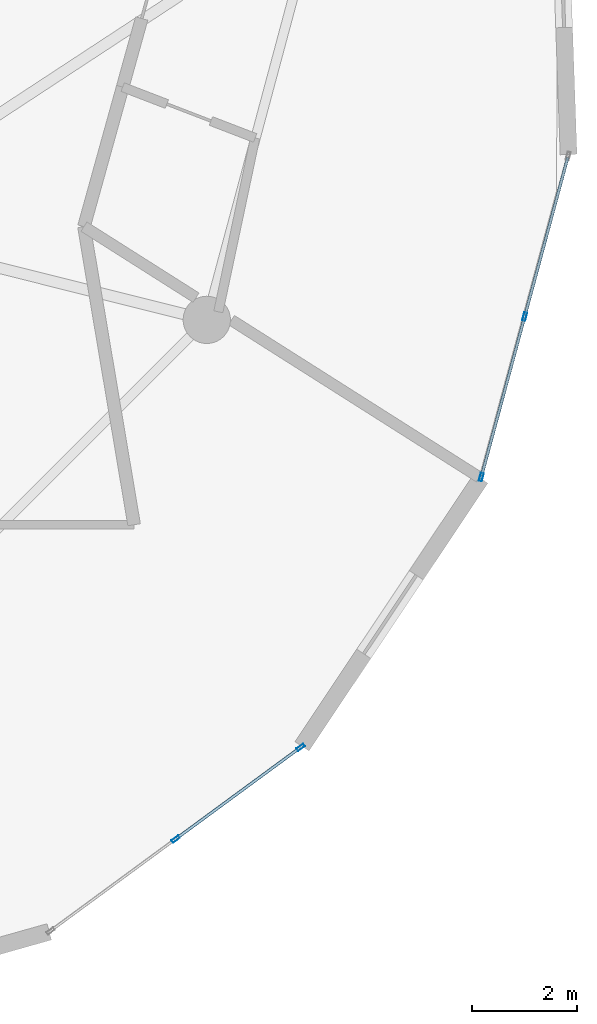
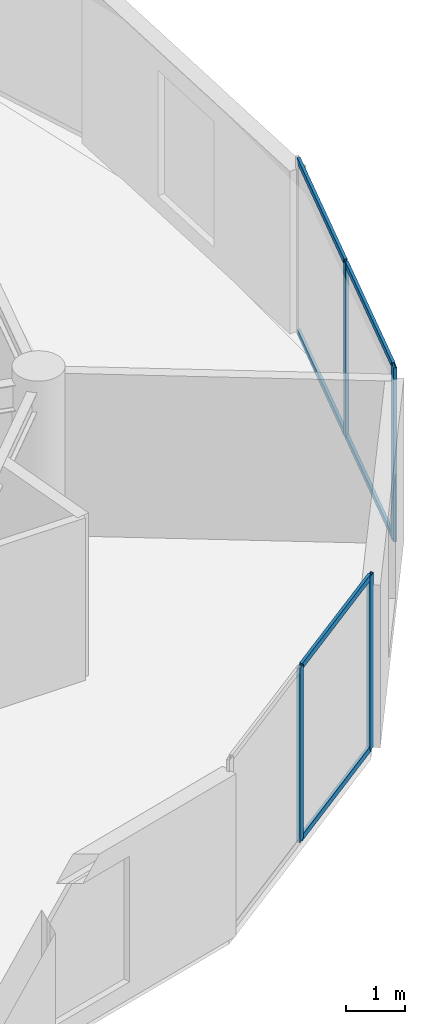
# One storey, part 8 of 18: 10 members, 2 elements without a shape of their own.
"""IFC4 building model written with IfcOpenShell, lengths in metres."""

from ifc_helpers import new_model, si_unit, direction, frame, origin, origin_2d, place, context, subcontext, project, spatial, hollow_rectangle, extrude, source, transform, mapped, material, layer, layer_set, material_profile, profile_set, type_object, element, aggregate, save


model = new_model("IFC4")

# Units and contexts
model_context = context("Model", 3, precision=1e-05, world=origin(), true_north=direction((0.0, 1.0)))
body_context = subcontext(model_context, "Body", "Model", "MODEL_VIEW")
ifc_project = project(units=[si_unit("LENGTHUNIT", "METRE"), si_unit("AREAUNIT", "SQUARE_METRE"), si_unit("VOLUMEUNIT", "CUBIC_METRE"), si_unit("PLANEANGLEUNIT", "RADIAN"), si_unit("MASSUNIT", "GRAM", prefix="KILO")], contexts=[model_context])

# Site, building, storey
site_placement = place(None, origin())
site = spatial("IfcSite", under=ifc_project, at=site_placement, CompositionType="ELEMENT")
building_placement = place(site_placement, origin())
building = spatial("IfcBuilding", under=site, at=building_placement, Name="Solvirekh Grand Hotel", CompositionType="ELEMENT")
storey_placement = place(building_placement, frame((0.0, 0.0, 202.0)))
storey = spatial("IfcBuildingStorey", under=building, at=storey_placement, Name="L52", CompositionType="ELEMENT", Elevation=202.0)

# Curtain wall, members
ifc_material = material(Name="Anodized Bronze Aluminium 6063-T6", Category="aluminium")
ifc_layer = layer(ifc_material, 0.159912109375)
ifc_layer_set = layer_set([ifc_layer], Name="Anodized Bronze Aluminium 6063-T6")
curtain_wall_type = type_object("IfcCurtainWallType", Name="CW_Sys4_HighZoneFlushBronzeCW", PredefinedType="NOTDEFINED", material=ifc_layer_set)
curtain_wall_1_placement = place(storey_placement, origin())
curtain_wall_1 = element("IfcCurtainWall", 1, at=curtain_wall_1_placement, inside=storey, type_object=curtain_wall_type, Name="L52 unitised bronze-glass curtain wall CW-L52-C01", PredefinedType="NOTDEFINED")
ifc_material_profile_1 = material_profile(ifc_material, hollow_rectangle(XDim=0.06005859375, YDim=0.159912109375, WallThickness=0.0048828125, at=origin_2d()), Name="ALU RHS 160X60X5")
ifc_profile_set_1 = profile_set([ifc_material_profile_1], Name="Anodized Bronze Aluminium 6063-T6")
member_type_1 = type_object("IfcMemberType", Name="CWMullion_Sys4", PredefinedType="MULLION", material=ifc_profile_set_1)
shared_shape_1 = source(origin(), body_context, "Body", "SweptSolid", [
    extrude(hollow_rectangle(XDim=0.06005859375, YDim=0.159912109375, WallThickness=0.0048828125, at=origin_2d()), origin(), (0.0, 0.0, 1.0), 3.60009765625),
])
member_1_placement = place(storey_placement, frame((13.090087890625, -17.783447265625, 0.0), z_axis=(0.0, 0.0, 1.0), x_axis=(-0.591763193418, 0.80611185509, 0.0)))
member_1 = element("IfcMember", 2, at=member_1_placement, type_object=member_type_1, Name="U04 mullion 2", PredefinedType="MULLION", context=body_context, shape_type="MappedRepresentation", body=[
    mapped(shared_shape_1, transform((0.0, 0.0, 0.0), x_axis=(1.0, 0.0, 0.0), y_axis=(0.0, 1.0, 0.0), z_axis=(0.0, 0.0, 1.0), scale=1.0)),
])
member_2_placement = place(storey_placement, frame((15.470703125, -16.03564453125, 0.0), z_axis=(0.0, 0.0, 1.0), x_axis=(-0.591763193418, 0.80611185509, 0.0)))
member_2 = element("IfcMember", 3, at=member_2_placement, type_object=member_type_1, Name="U04 mullion 3", PredefinedType="MULLION", context=body_context, shape_type="MappedRepresentation", body=[
    mapped(shared_shape_1, transform((0.0, 0.0, 0.0), x_axis=(1.0, 0.0, 0.0), y_axis=(0.0, 1.0, 0.0), z_axis=(0.0, 0.0, 1.0), scale=1.0)),
])

curtain_wall_2_placement = place(storey_placement, origin())
curtain_wall_2 = element("IfcCurtainWall", 4, at=curtain_wall_2_placement, inside=storey, type_object=curtain_wall_type, Name="L52 unitised bronze-glass curtain wall CW-L52-C03", PredefinedType="NOTDEFINED")
member_3_placement = place(storey_placement, frame((18.908935546875, -10.89111328125, 0.0), z_axis=(0.0, 0.0, 1.0), x_axis=(-0.965285580068, 0.26119676283, 0.0)))
member_3 = element("IfcMember", 5, at=member_3_placement, type_object=member_type_1, Name="U04 mullion 1", PredefinedType="MULLION", context=body_context, shape_type="MappedRepresentation", body=[
    mapped(shared_shape_1, transform((0.0, 0.0, 0.0), x_axis=(1.0, 0.0, 0.0), y_axis=(0.0, 1.0, 0.0), z_axis=(0.0, 0.0, 1.0), scale=1.0)),
])
member_4_placement = place(storey_placement, frame((19.735595703125, -7.8359375, 0.0), z_axis=(0.0, 0.0, 1.0), x_axis=(-0.965285580068, 0.26119676283, 0.0)))
member_4 = element("IfcMember", 6, at=member_4_placement, type_object=member_type_1, Name="U04 mullion 2", PredefinedType="MULLION", context=body_context, shape_type="MappedRepresentation", body=[
    mapped(shared_shape_1, transform((0.0, 0.0, 0.0), x_axis=(1.0, 0.0, 0.0), y_axis=(0.0, 1.0, 0.0), z_axis=(0.0, 0.0, 1.0), scale=1.0)),
])

# Member
ifc_material_profile_2 = material_profile(ifc_material, hollow_rectangle(XDim=0.054931640625, YDim=0.1201171875, WallThickness=0.00390625, at=origin_2d()), Name="ALU RHS 120X55X4")
ifc_profile_set_2 = profile_set([ifc_material_profile_2], Name="Anodized Bronze Aluminium 6063-T6")
member_type_2 = type_object("IfcMemberType", Name="CWTransom_Sys4", PredefinedType="USERDEFINED", material=ifc_profile_set_2)
shared_shape_2 = source(origin(), body_context, "Body", "SweptSolid", [
    extrude(hollow_rectangle(XDim=0.054931640625, YDim=0.1201171875, WallThickness=0.00390625, at=origin_2d()), origin(), (0.0, 0.0, 1.0), 2.893310546875),
])
member_5_placement = place(storey_placement, frame((13.1142578125, -17.765869140625, 0.027587890625), z_axis=(0.806064179282, 0.591828132889, 0.0), x_axis=(-0.591828132889, 0.806064179282, 0.0)))
member_5 = element("IfcMember", 7, at=member_5_placement, type_object=member_type_2, Name="U04 transom 2.1", ObjectType="TRANSOM", PredefinedType="USERDEFINED", context=body_context, shape_type="MappedRepresentation", body=[
    mapped(shared_shape_2, transform((0.0, 0.0, 0.0), x_axis=(1.0, 0.0, 0.0), y_axis=(0.0, 1.0, 0.0), z_axis=(0.0, 0.0, 1.0), scale=1.0)),
])

member_6_placement = place(storey_placement, frame((13.1142578125, -17.765869140625, 3.572509765625), z_axis=(0.806064179282, 0.591828132889, 0.0), x_axis=(-0.591828132889, 0.806064179282, 0.0)))
member_6 = element("IfcMember", 8, at=member_6_placement, type_object=member_type_2, Name="U04 transom 2.2", ObjectType="TRANSOM", PredefinedType="USERDEFINED", context=body_context, shape_type="MappedRepresentation", body=[
    mapped(shared_shape_2, transform((0.0, 0.0, 0.0), x_axis=(1.0, 0.0, 0.0), y_axis=(0.0, 1.0, 0.0), z_axis=(0.0, 0.0, 1.0), scale=1.0)),
])

aggregate(curtain_wall_1, [member_1, member_2, member_5, member_6])

shared_shape_3 = source(origin(), body_context, "Body", "SweptSolid", [
    extrude(hollow_rectangle(XDim=0.054931640625, YDim=0.1201171875, WallThickness=0.00390625, at=origin_2d()), origin(), (0.0, 0.0, 1.0), 3.10498046875),
])
member_7_placement = place(storey_placement, frame((18.916748046875, -10.862060546875, 0.027587890625), z_axis=(0.26121401047, 0.965280912861, 0.0), x_axis=(-0.965280912861, 0.26121401047, 0.0)))
member_7 = element("IfcMember", 9, at=member_7_placement, type_object=member_type_2, Name="U04 transom 1.1", ObjectType="TRANSOM", PredefinedType="USERDEFINED", context=body_context, shape_type="MappedRepresentation", body=[
    mapped(shared_shape_3, transform((0.0, 0.0, 0.0), x_axis=(1.0, 0.0, 0.0), y_axis=(0.0, 1.0, 0.0), z_axis=(0.0, 0.0, 1.0), scale=1.0)),
])

member_8_placement = place(storey_placement, frame((18.916748046875, -10.862060546875, 3.572509765625), z_axis=(0.26121401047, 0.965280912861, 0.0), x_axis=(-0.965280912861, 0.26121401047, 0.0)))
member_8 = element("IfcMember", 10, at=member_8_placement, type_object=member_type_2, Name="U04 transom 1.2", ObjectType="TRANSOM", PredefinedType="USERDEFINED", context=body_context, shape_type="MappedRepresentation", body=[
    mapped(shared_shape_3, transform((0.0, 0.0, 0.0), x_axis=(1.0, 0.0, 0.0), y_axis=(0.0, 1.0, 0.0), z_axis=(0.0, 0.0, 1.0), scale=1.0)),
])

shared_shape_4 = source(origin(), body_context, "Body", "SweptSolid", [
    extrude(hollow_rectangle(XDim=0.054931640625, YDim=0.1201171875, WallThickness=0.00390625, at=origin_2d()), origin(), (0.0, 0.0, 1.0), 3.105224609375),
])
member_9_placement = place(storey_placement, frame((19.743408203125, -7.80712890625, 0.027587890625), z_axis=(0.261194185375, 0.965286277498, 0.0), x_axis=(-0.965286277498, 0.261194185375, 0.0)))
member_9 = element("IfcMember", 11, at=member_9_placement, type_object=member_type_2, Name="U04 transom 2.1", ObjectType="TRANSOM", PredefinedType="USERDEFINED", context=body_context, shape_type="MappedRepresentation", body=[
    mapped(shared_shape_4, transform((0.0, 0.0, 0.0), x_axis=(1.0, 0.0, 0.0), y_axis=(0.0, 1.0, 0.0), z_axis=(0.0, 0.0, 1.0), scale=1.0)),
])

member_10_placement = place(storey_placement, frame((19.743408203125, -7.80712890625, 3.572509765625), z_axis=(0.261194185375, 0.965286277498, 0.0), x_axis=(-0.965286277498, 0.261194185375, 0.0)))
member_10 = element("IfcMember", 12, at=member_10_placement, type_object=member_type_2, Name="U04 transom 2.2", ObjectType="TRANSOM", PredefinedType="USERDEFINED", context=body_context, shape_type="MappedRepresentation", body=[
    mapped(shared_shape_4, transform((0.0, 0.0, 0.0), x_axis=(1.0, 0.0, 0.0), y_axis=(0.0, 1.0, 0.0), z_axis=(0.0, 0.0, 1.0), scale=1.0)),
])

aggregate(curtain_wall_2, [member_3, member_4, member_7, member_8, member_9, member_10])

save(model, "model.ifc")
